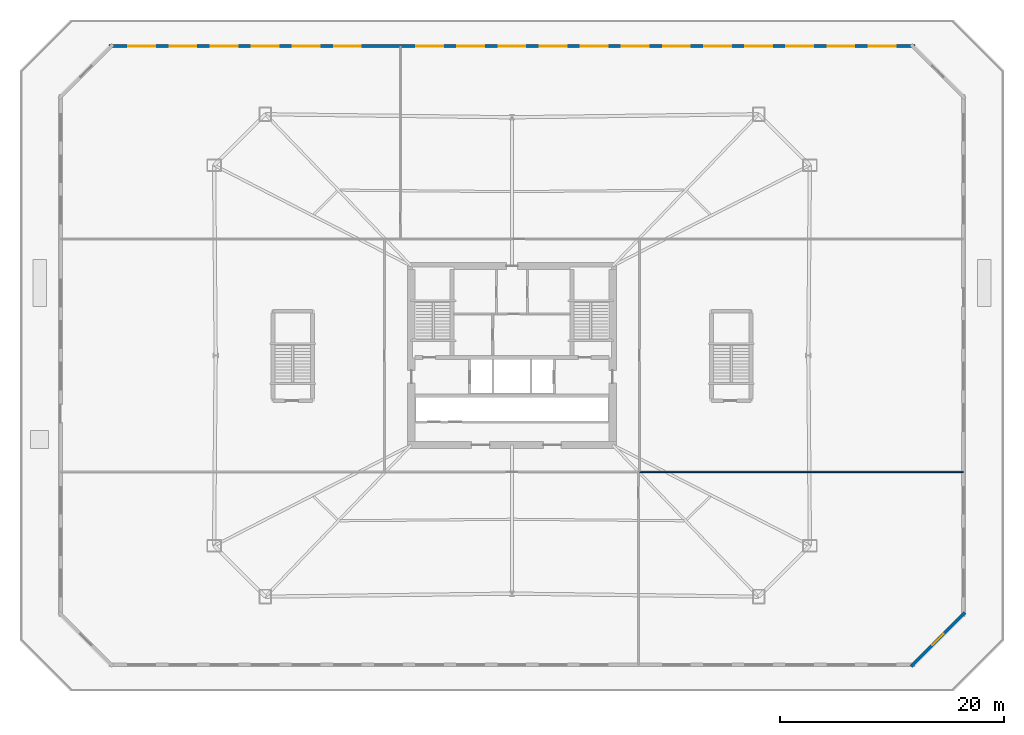
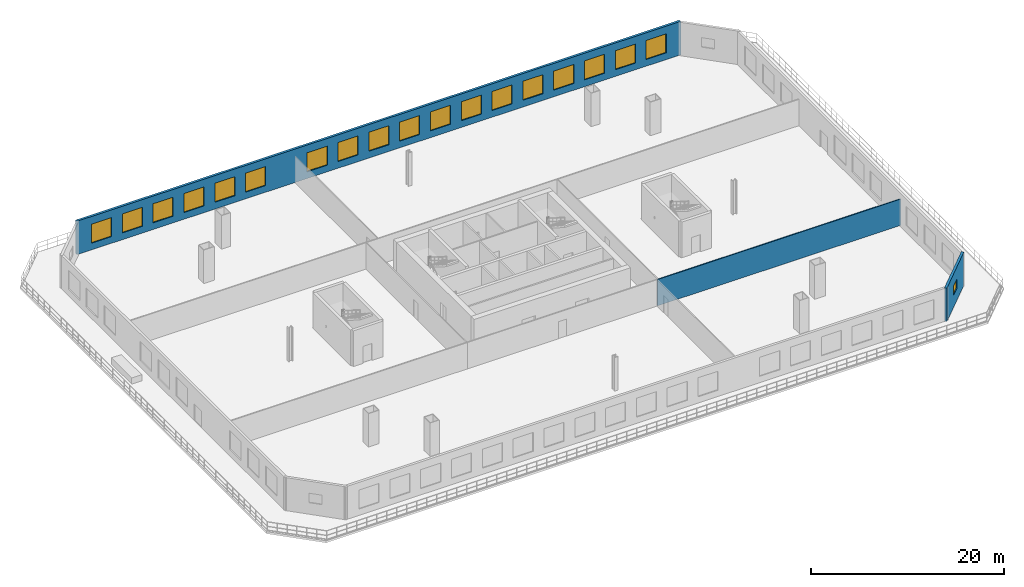
# One storey, part 5 of 9: 19 windows, 3 walls, 19 openings.
"""IFC4 building model written with IfcOpenShell, lengths in metres."""

from ifc_helpers import new_model, si_unit, direction, frame, frame_2d, origin, place, context, subcontext, project, spatial, rectangle, extrude, material, layer, layer_set, type_object, element, fill, save


model = new_model("IFC4")

# Units and contexts
model_context = context("Model", 3, precision=1e-05, world=origin(), true_north=direction((0.0, 1.0)))
body_context = subcontext(model_context, "Body", "Model", "MODEL_VIEW")
ifc_project = project(units=[si_unit("LENGTHUNIT", "METRE"), si_unit("AREAUNIT", "SQUARE_METRE"), si_unit("VOLUMEUNIT", "CUBIC_METRE"), si_unit("PLANEANGLEUNIT", "RADIAN"), si_unit("MASSUNIT", "GRAM", prefix="KILO")], contexts=[model_context])

# Site, building, storey
site_placement = place(None, origin())
site = spatial("IfcSite", under=ifc_project, at=site_placement, CompositionType="ELEMENT")
building_placement = place(site_placement, origin())
building = spatial("IfcBuilding", under=site, at=building_placement, Name="Caelvoria Tower", CompositionType="ELEMENT")
storey_placement = place(building_placement, frame((0.0, 0.0, 5.0)))
storey = spatial("IfcBuildingStorey", under=building, at=storey_placement, Name="L01", CompositionType="ELEMENT", Elevation=5.0)

# Wall, opening, window
ifc_material_1 = material(Name="Precast Concrete C40/50 with Bronze Cladding", Category="concrete")
ifc_layer_1 = layer(ifc_material_1, 0.280029296875, Name="Precast Concrete C40/50 with Bronze Cladding")
ifc_layer_set_1 = layer_set([ifc_layer_1], Name="Exterior Precast Concrete C40/50 Bronze-Clad Facade Wall 280 - Precast Concrete C40/50 with Bronze Cladding")
wall_type_1 = type_object("IfcWallType", Name="Exterior Precast Concrete C40/50 Bronze-Clad Facade Wall 280", PredefinedType="STANDARD", material=ifc_layer_set_1)
wall_1_placement = place(storey_placement, frame((81.701904296875, 4.199951171875, 0.0), z_axis=(0.0, 0.0, 1.0), x_axis=(0.707106781187, 0.707106781187, 0.0)))
wall_1 = element("IfcWall", 1, at=wall_1_placement, inside=storey, type_object=wall_type_1, Name="Exterior Facade Wall L01-E1", PredefinedType="STANDARD", context=body_context, shape_type="SweptSolid", body=[
    extrude(rectangle(XDim=6.78564453125, YDim=0.280029296875, at=frame_2d((3.392822265625, 0.0))), origin(), (0.0, 0.0, 1.0), 4.219970703125),
])
opening_1_placement = place(wall_1_placement, frame((2.692626953125, 0.0, 1.5)))
opening_1 = element("IfcOpeningElement", 2, at=opening_1_placement, cuts=wall_1, Name="Opening WN-06", PredefinedType="OPENING", context=body_context, shape_type="SweptSolid", body=[
    extrude(rectangle(XDim=1.39990234375, YDim=1.199951171875, at=frame_2d((0.699951171875, 0.60009765625))), frame((0.0, 0.14990234375, 0.0), z_axis=(0.0, -1.0, 0.0), x_axis=(1.0, 0.0, 0.0)), (0.0, 0.0, 1.0), 0.300048828125),
])
ifc_material_2 = material(Name="Low-E Tinted Glass in Bronze Aluminium Frame", Category="aluminium")
window_type_1 = type_object("IfcWindowType", Name="Podium Clerestory Window 1400x1200", PartitioningType="SINGLE_PANEL", PredefinedType="WINDOW", material=ifc_material_2)
window_1_placement = place(opening_1_placement, origin())
window_1 = element("IfcWindow", 3, at=window_1_placement, inside=storey, type_object=window_type_1, Name="Facade Window L01-E1-00", OverallHeight=1.199951171875, OverallWidth=1.39990234375, PartitioningType="SINGLE_PANEL", PredefinedType="WINDOW", context=body_context, shape_type="SweptSolid", body=[
    extrude(rectangle(XDim=1.39990234375, YDim=1.199951171875, at=frame_2d((0.699951171875, 0.60009765625))), frame((0.0, 0.030029296875, 0.0), z_axis=(0.0, -1.0, 0.0), x_axis=(1.0, 0.0, 0.0)), (0.0, 0.0, 1.0), 0.06005859375),
])
fill(opening_1, window_1)

# Wall, openings, windows
wall_2_placement = place(storey_placement, frame((82.0400390625, 59.659912109375, 0.0), z_axis=(0.0, 0.0, 1.0), x_axis=(-1.0, 0.0, 0.0)))
wall_2 = element("IfcWall", 4, at=wall_2_placement, inside=storey, type_object=wall_type_1, Name="Exterior Facade Wall L01-E4", PredefinedType="STANDARD", context=body_context, shape_type="SweptSolid", body=[
    extrude(rectangle(XDim=72.080078125, YDim=0.280029296875, at=frame_2d((36.0400390625, 0.0))), origin(), (0.0, 0.0, 1.0), 4.219970703125),
])
opening_2_placement = place(wall_2_placement, frame((1.739013671875, 0.0, 0.85009765625)))
opening_2 = element("IfcOpeningElement", 5, at=opening_2_placement, cuts=wall_2, Name="Opening WN-04", PredefinedType="OPENING", context=body_context, shape_type="SweptSolid", body=[
    extrude(rectangle(XDim=2.39990234375, YDim=2.39990234375, at=frame_2d((1.199951171875, 1.199951171875))), frame((0.0, 0.14990234375, 0.0), z_axis=(0.0, -1.0, 0.0), x_axis=(1.0, 0.0, 0.0)), (0.0, 0.0, 1.0), 0.300048828125),
])
opening_3_placement = place(wall_2_placement, frame((5.416748046875, 0.0, 0.85009765625)))
opening_3 = element("IfcOpeningElement", 6, at=opening_3_placement, cuts=wall_2, Name="Opening WN-04", PredefinedType="OPENING", context=body_context, shape_type="SweptSolid", body=[
    extrude(rectangle(XDim=2.39990234375, YDim=2.39990234375, at=frame_2d((1.199951171875, 1.199951171875))), frame((0.0, 0.14990234375, 0.0), z_axis=(0.0, -1.0, 0.0), x_axis=(1.0, 0.0, 0.0)), (0.0, 0.0, 1.0), 0.300048828125),
])
opening_4_placement = place(wall_2_placement, frame((9.0947265625, 0.0, 0.85009765625)))
opening_4 = element("IfcOpeningElement", 7, at=opening_4_placement, cuts=wall_2, Name="Opening WN-04", PredefinedType="OPENING", context=body_context, shape_type="SweptSolid", body=[
    extrude(rectangle(XDim=2.39990234375, YDim=2.39990234375, at=frame_2d((1.199951171875, 1.199951171875))), frame((0.0, 0.14990234375, 0.0), z_axis=(0.0, -1.0, 0.0), x_axis=(1.0, 0.0, 0.0)), (0.0, 0.0, 1.0), 0.300048828125),
])
opening_5_placement = place(wall_2_placement, frame((12.772705078125, 0.0, 0.85009765625)))
opening_5 = element("IfcOpeningElement", 8, at=opening_5_placement, cuts=wall_2, Name="Opening WN-04", PredefinedType="OPENING", context=body_context, shape_type="SweptSolid", body=[
    extrude(rectangle(XDim=2.39990234375, YDim=2.39990234375, at=frame_2d((1.199951171875, 1.199951171875))), frame((0.0, 0.14990234375, 0.0), z_axis=(0.0, -1.0, 0.0), x_axis=(1.0, 0.0, 0.0)), (0.0, 0.0, 1.0), 0.300048828125),
])
opening_6_placement = place(wall_2_placement, frame((16.450439453125, 0.0, 0.85009765625)))
opening_6 = element("IfcOpeningElement", 9, at=opening_6_placement, cuts=wall_2, Name="Opening WN-04", PredefinedType="OPENING", context=body_context, shape_type="SweptSolid", body=[
    extrude(rectangle(XDim=2.39990234375, YDim=2.39990234375, at=frame_2d((1.199951171875, 1.199951171875))), frame((0.0, 0.14990234375, 0.0), z_axis=(0.0, -1.0, 0.0), x_axis=(1.0, 0.0, 0.0)), (0.0, 0.0, 1.0), 0.300048828125),
])
opening_7_placement = place(wall_2_placement, frame((20.12841796875, 0.0, 0.85009765625)))
opening_7 = element("IfcOpeningElement", 10, at=opening_7_placement, cuts=wall_2, Name="Opening WN-04", PredefinedType="OPENING", context=body_context, shape_type="SweptSolid", body=[
    extrude(rectangle(XDim=2.39990234375, YDim=2.39990234375, at=frame_2d((1.199951171875, 1.199951171875))), frame((0.0, 0.14990234375, 0.0), z_axis=(0.0, -1.0, 0.0), x_axis=(1.0, 0.0, 0.0)), (0.0, 0.0, 1.0), 0.300048828125),
])
opening_8_placement = place(wall_2_placement, frame((23.806396484375, 0.0, 0.85009765625)))
opening_8 = element("IfcOpeningElement", 11, at=opening_8_placement, cuts=wall_2, Name="Opening WN-04", PredefinedType="OPENING", context=body_context, shape_type="SweptSolid", body=[
    extrude(rectangle(XDim=2.39990234375, YDim=2.39990234375, at=frame_2d((1.199951171875, 1.199951171875))), frame((0.0, 0.14990234375, 0.0), z_axis=(0.0, -1.0, 0.0), x_axis=(1.0, 0.0, 0.0)), (0.0, 0.0, 1.0), 0.300048828125),
])
opening_9_placement = place(wall_2_placement, frame((27.484130859375, 0.0, 0.85009765625)))
opening_9 = element("IfcOpeningElement", 12, at=opening_9_placement, cuts=wall_2, Name="Opening WN-04", PredefinedType="OPENING", context=body_context, shape_type="SweptSolid", body=[
    extrude(rectangle(XDim=2.39990234375, YDim=2.39990234375, at=frame_2d((1.199951171875, 1.199951171875))), frame((0.0, 0.14990234375, 0.0), z_axis=(0.0, -1.0, 0.0), x_axis=(1.0, 0.0, 0.0)), (0.0, 0.0, 1.0), 0.300048828125),
])
opening_10_placement = place(wall_2_placement, frame((31.162109375, 0.0, 0.85009765625)))
opening_10 = element("IfcOpeningElement", 13, at=opening_10_placement, cuts=wall_2, Name="Opening WN-04", PredefinedType="OPENING", context=body_context, shape_type="SweptSolid", body=[
    extrude(rectangle(XDim=2.39990234375, YDim=2.39990234375, at=frame_2d((1.199951171875, 1.199951171875))), frame((0.0, 0.14990234375, 0.0), z_axis=(0.0, -1.0, 0.0), x_axis=(1.0, 0.0, 0.0)), (0.0, 0.0, 1.0), 0.300048828125),
])
opening_11_placement = place(wall_2_placement, frame((34.840087890625, 0.0, 0.85009765625)))
opening_11 = element("IfcOpeningElement", 14, at=opening_11_placement, cuts=wall_2, Name="Opening WN-04", PredefinedType="OPENING", context=body_context, shape_type="SweptSolid", body=[
    extrude(rectangle(XDim=2.39990234375, YDim=2.39990234375, at=frame_2d((1.199951171875, 1.199951171875))), frame((0.0, 0.14990234375, 0.0), z_axis=(0.0, -1.0, 0.0), x_axis=(1.0, 0.0, 0.0)), (0.0, 0.0, 1.0), 0.300048828125),
])
opening_12_placement = place(wall_2_placement, frame((38.517822265625, 0.0, 0.85009765625)))
opening_12 = element("IfcOpeningElement", 15, at=opening_12_placement, cuts=wall_2, Name="Opening WN-04", PredefinedType="OPENING", context=body_context, shape_type="SweptSolid", body=[
    extrude(rectangle(XDim=2.39990234375, YDim=2.39990234375, at=frame_2d((1.199951171875, 1.199951171875))), frame((0.0, 0.14990234375, 0.0), z_axis=(0.0, -1.0, 0.0), x_axis=(1.0, 0.0, 0.0)), (0.0, 0.0, 1.0), 0.300048828125),
])
opening_13_placement = place(wall_2_placement, frame((42.19580078125, 0.0, 0.85009765625)))
opening_13 = element("IfcOpeningElement", 16, at=opening_13_placement, cuts=wall_2, Name="Opening WN-04", PredefinedType="OPENING", context=body_context, shape_type="SweptSolid", body=[
    extrude(rectangle(XDim=2.39990234375, YDim=2.39990234375, at=frame_2d((1.199951171875, 1.199951171875))), frame((0.0, 0.14990234375, 0.0), z_axis=(0.0, -1.0, 0.0), x_axis=(1.0, 0.0, 0.0)), (0.0, 0.0, 1.0), 0.300048828125),
])
opening_14_placement = place(wall_2_placement, frame((49.551513671875, 0.0, 0.85009765625)))
opening_14 = element("IfcOpeningElement", 17, at=opening_14_placement, cuts=wall_2, Name="Opening WN-04", PredefinedType="OPENING", context=body_context, shape_type="SweptSolid", body=[
    extrude(rectangle(XDim=2.39990234375, YDim=2.39990234375, at=frame_2d((1.199951171875, 1.199951171875))), frame((0.0, 0.14990234375, 0.0), z_axis=(0.0, -1.0, 0.0), x_axis=(1.0, 0.0, 0.0)), (0.0, 0.0, 1.0), 0.300048828125),
])
opening_15_placement = place(wall_2_placement, frame((53.2294921875, 0.0, 0.85009765625)))
opening_15 = element("IfcOpeningElement", 18, at=opening_15_placement, cuts=wall_2, Name="Opening WN-04", PredefinedType="OPENING", context=body_context, shape_type="SweptSolid", body=[
    extrude(rectangle(XDim=2.39990234375, YDim=2.39990234375, at=frame_2d((1.199951171875, 1.199951171875))), frame((0.0, 0.14990234375, 0.0), z_axis=(0.0, -1.0, 0.0), x_axis=(1.0, 0.0, 0.0)), (0.0, 0.0, 1.0), 0.300048828125),
])
opening_16_placement = place(wall_2_placement, frame((56.907470703125, 0.0, 0.85009765625)))
opening_16 = element("IfcOpeningElement", 19, at=opening_16_placement, cuts=wall_2, Name="Opening WN-04", PredefinedType="OPENING", context=body_context, shape_type="SweptSolid", body=[
    extrude(rectangle(XDim=2.39990234375, YDim=2.39990234375, at=frame_2d((1.199951171875, 1.199951171875))), frame((0.0, 0.14990234375, 0.0), z_axis=(0.0, -1.0, 0.0), x_axis=(1.0, 0.0, 0.0)), (0.0, 0.0, 1.0), 0.300048828125),
])
opening_17_placement = place(wall_2_placement, frame((60.585205078125, 0.0, 0.85009765625)))
opening_17 = element("IfcOpeningElement", 20, at=opening_17_placement, cuts=wall_2, Name="Opening WN-04", PredefinedType="OPENING", context=body_context, shape_type="SweptSolid", body=[
    extrude(rectangle(XDim=2.39990234375, YDim=2.39990234375, at=frame_2d((1.199951171875, 1.199951171875))), frame((0.0, 0.14990234375, 0.0), z_axis=(0.0, -1.0, 0.0), x_axis=(1.0, 0.0, 0.0)), (0.0, 0.0, 1.0), 0.300048828125),
])
opening_18_placement = place(wall_2_placement, frame((64.26318359375, 0.0, 0.85009765625)))
opening_18 = element("IfcOpeningElement", 21, at=opening_18_placement, cuts=wall_2, Name="Opening WN-04", PredefinedType="OPENING", context=body_context, shape_type="SweptSolid", body=[
    extrude(rectangle(XDim=2.39990234375, YDim=2.39990234375, at=frame_2d((1.199951171875, 1.199951171875))), frame((0.0, 0.14990234375, 0.0), z_axis=(0.0, -1.0, 0.0), x_axis=(1.0, 0.0, 0.0)), (0.0, 0.0, 1.0), 0.300048828125),
])
opening_19_placement = place(wall_2_placement, frame((67.941162109375, 0.0, 0.85009765625)))
opening_19 = element("IfcOpeningElement", 22, at=opening_19_placement, cuts=wall_2, Name="Opening WN-04", PredefinedType="OPENING", context=body_context, shape_type="SweptSolid", body=[
    extrude(rectangle(XDim=2.39990234375, YDim=2.39990234375, at=frame_2d((1.199951171875, 1.199951171875))), frame((0.0, 0.14990234375, 0.0), z_axis=(0.0, -1.0, 0.0), x_axis=(1.0, 0.0, 0.0)), (0.0, 0.0, 1.0), 0.300048828125),
])
window_type_2 = type_object("IfcWindowType", Name="Podium Commercial Ribbon Window 2400x2400", PartitioningType="SINGLE_PANEL", PredefinedType="WINDOW", material=ifc_material_2)
window_2_placement = place(opening_2_placement, origin())
window_2 = element("IfcWindow", 23, at=window_2_placement, inside=storey, type_object=window_type_2, Name="Facade Window L01-E4-00", OverallHeight=2.39990234375, OverallWidth=2.39990234375, PartitioningType="SINGLE_PANEL", PredefinedType="WINDOW", context=body_context, shape_type="SweptSolid", body=[
    extrude(rectangle(XDim=2.39990234375, YDim=2.39990234375, at=frame_2d((1.199951171875, 1.199951171875))), frame((0.0, 0.030029296875, 0.0), z_axis=(0.0, -1.0, 0.0), x_axis=(1.0, 0.0, 0.0)), (0.0, 0.0, 1.0), 0.06005859375),
])
fill(opening_2, window_2)
window_3_placement = place(opening_3_placement, origin())
window_3 = element("IfcWindow", 24, at=window_3_placement, inside=storey, type_object=window_type_2, Name="Facade Window L01-E4-01", OverallHeight=2.39990234375, OverallWidth=2.39990234375, PartitioningType="SINGLE_PANEL", PredefinedType="WINDOW", context=body_context, shape_type="SweptSolid", body=[
    extrude(rectangle(XDim=2.39990234375, YDim=2.39990234375, at=frame_2d((1.199951171875, 1.199951171875))), frame((0.0, 0.030029296875, 0.0), z_axis=(0.0, -1.0, 0.0), x_axis=(1.0, 0.0, 0.0)), (0.0, 0.0, 1.0), 0.06005859375),
])
fill(opening_3, window_3)
window_4_placement = place(opening_4_placement, origin())
window_4 = element("IfcWindow", 25, at=window_4_placement, inside=storey, type_object=window_type_2, Name="Facade Window L01-E4-02", OverallHeight=2.39990234375, OverallWidth=2.39990234375, PartitioningType="SINGLE_PANEL", PredefinedType="WINDOW", context=body_context, shape_type="SweptSolid", body=[
    extrude(rectangle(XDim=2.39990234375, YDim=2.39990234375, at=frame_2d((1.199951171875, 1.199951171875))), frame((0.0, 0.030029296875, 0.0), z_axis=(0.0, -1.0, 0.0), x_axis=(1.0, 0.0, 0.0)), (0.0, 0.0, 1.0), 0.06005859375),
])
fill(opening_4, window_4)
window_5_placement = place(opening_5_placement, origin())
window_5 = element("IfcWindow", 26, at=window_5_placement, inside=storey, type_object=window_type_2, Name="Facade Window L01-E4-03", OverallHeight=2.39990234375, OverallWidth=2.39990234375, PartitioningType="SINGLE_PANEL", PredefinedType="WINDOW", context=body_context, shape_type="SweptSolid", body=[
    extrude(rectangle(XDim=2.39990234375, YDim=2.39990234375, at=frame_2d((1.199951171875, 1.199951171875))), frame((0.0, 0.030029296875, 0.0), z_axis=(0.0, -1.0, 0.0), x_axis=(1.0, 0.0, 0.0)), (0.0, 0.0, 1.0), 0.06005859375),
])
fill(opening_5, window_5)
window_6_placement = place(opening_6_placement, origin())
window_6 = element("IfcWindow", 27, at=window_6_placement, inside=storey, type_object=window_type_2, Name="Facade Window L01-E4-04", OverallHeight=2.39990234375, OverallWidth=2.39990234375, PartitioningType="SINGLE_PANEL", PredefinedType="WINDOW", context=body_context, shape_type="SweptSolid", body=[
    extrude(rectangle(XDim=2.39990234375, YDim=2.39990234375, at=frame_2d((1.199951171875, 1.199951171875))), frame((0.0, 0.030029296875, 0.0), z_axis=(0.0, -1.0, 0.0), x_axis=(1.0, 0.0, 0.0)), (0.0, 0.0, 1.0), 0.06005859375),
])
fill(opening_6, window_6)
window_7_placement = place(opening_7_placement, origin())
window_7 = element("IfcWindow", 28, at=window_7_placement, inside=storey, type_object=window_type_2, Name="Facade Window L01-E4-05", OverallHeight=2.39990234375, OverallWidth=2.39990234375, PartitioningType="SINGLE_PANEL", PredefinedType="WINDOW", context=body_context, shape_type="SweptSolid", body=[
    extrude(rectangle(XDim=2.39990234375, YDim=2.39990234375, at=frame_2d((1.199951171875, 1.199951171875))), frame((0.0, 0.030029296875, 0.0), z_axis=(0.0, -1.0, 0.0), x_axis=(1.0, 0.0, 0.0)), (0.0, 0.0, 1.0), 0.06005859375),
])
fill(opening_7, window_7)
window_8_placement = place(opening_8_placement, origin())
window_8 = element("IfcWindow", 29, at=window_8_placement, inside=storey, type_object=window_type_2, Name="Facade Window L01-E4-06", OverallHeight=2.39990234375, OverallWidth=2.39990234375, PartitioningType="SINGLE_PANEL", PredefinedType="WINDOW", context=body_context, shape_type="SweptSolid", body=[
    extrude(rectangle(XDim=2.39990234375, YDim=2.39990234375, at=frame_2d((1.199951171875, 1.199951171875))), frame((0.0, 0.030029296875, 0.0), z_axis=(0.0, -1.0, 0.0), x_axis=(1.0, 0.0, 0.0)), (0.0, 0.0, 1.0), 0.06005859375),
])
fill(opening_8, window_8)
window_9_placement = place(opening_9_placement, origin())
window_9 = element("IfcWindow", 30, at=window_9_placement, inside=storey, type_object=window_type_2, Name="Facade Window L01-E4-07", OverallHeight=2.39990234375, OverallWidth=2.39990234375, PartitioningType="SINGLE_PANEL", PredefinedType="WINDOW", context=body_context, shape_type="SweptSolid", body=[
    extrude(rectangle(XDim=2.39990234375, YDim=2.39990234375, at=frame_2d((1.199951171875, 1.199951171875))), frame((0.0, 0.030029296875, 0.0), z_axis=(0.0, -1.0, 0.0), x_axis=(1.0, 0.0, 0.0)), (0.0, 0.0, 1.0), 0.06005859375),
])
fill(opening_9, window_9)
window_10_placement = place(opening_10_placement, origin())
window_10 = element("IfcWindow", 31, at=window_10_placement, inside=storey, type_object=window_type_2, Name="Facade Window L01-E4-08", OverallHeight=2.39990234375, OverallWidth=2.39990234375, PartitioningType="SINGLE_PANEL", PredefinedType="WINDOW", context=body_context, shape_type="SweptSolid", body=[
    extrude(rectangle(XDim=2.39990234375, YDim=2.39990234375, at=frame_2d((1.199951171875, 1.199951171875))), frame((0.0, 0.030029296875, 0.0), z_axis=(0.0, -1.0, 0.0), x_axis=(1.0, 0.0, 0.0)), (0.0, 0.0, 1.0), 0.06005859375),
])
fill(opening_10, window_10)
window_11_placement = place(opening_11_placement, origin())
window_11 = element("IfcWindow", 32, at=window_11_placement, inside=storey, type_object=window_type_2, Name="Facade Window L01-E4-09", OverallHeight=2.39990234375, OverallWidth=2.39990234375, PartitioningType="SINGLE_PANEL", PredefinedType="WINDOW", context=body_context, shape_type="SweptSolid", body=[
    extrude(rectangle(XDim=2.39990234375, YDim=2.39990234375, at=frame_2d((1.199951171875, 1.199951171875))), frame((0.0, 0.030029296875, 0.0), z_axis=(0.0, -1.0, 0.0), x_axis=(1.0, 0.0, 0.0)), (0.0, 0.0, 1.0), 0.06005859375),
])
fill(opening_11, window_11)
window_12_placement = place(opening_12_placement, origin())
window_12 = element("IfcWindow", 33, at=window_12_placement, inside=storey, type_object=window_type_2, Name="Facade Window L01-E4-10", OverallHeight=2.39990234375, OverallWidth=2.39990234375, PartitioningType="SINGLE_PANEL", PredefinedType="WINDOW", context=body_context, shape_type="SweptSolid", body=[
    extrude(rectangle(XDim=2.39990234375, YDim=2.39990234375, at=frame_2d((1.199951171875, 1.199951171875))), frame((0.0, 0.030029296875, 0.0), z_axis=(0.0, -1.0, 0.0), x_axis=(1.0, 0.0, 0.0)), (0.0, 0.0, 1.0), 0.06005859375),
])
fill(opening_12, window_12)
window_13_placement = place(opening_13_placement, origin())
window_13 = element("IfcWindow", 34, at=window_13_placement, inside=storey, type_object=window_type_2, Name="Facade Window L01-E4-11", OverallHeight=2.39990234375, OverallWidth=2.39990234375, PartitioningType="SINGLE_PANEL", PredefinedType="WINDOW", context=body_context, shape_type="SweptSolid", body=[
    extrude(rectangle(XDim=2.39990234375, YDim=2.39990234375, at=frame_2d((1.199951171875, 1.199951171875))), frame((0.0, 0.030029296875, 0.0), z_axis=(0.0, -1.0, 0.0), x_axis=(1.0, 0.0, 0.0)), (0.0, 0.0, 1.0), 0.06005859375),
])
fill(opening_13, window_13)
window_14_placement = place(opening_14_placement, origin())
window_14 = element("IfcWindow", 35, at=window_14_placement, inside=storey, type_object=window_type_2, Name="Facade Window L01-E4-13", OverallHeight=2.39990234375, OverallWidth=2.39990234375, PartitioningType="SINGLE_PANEL", PredefinedType="WINDOW", context=body_context, shape_type="SweptSolid", body=[
    extrude(rectangle(XDim=2.39990234375, YDim=2.39990234375, at=frame_2d((1.199951171875, 1.199951171875))), frame((0.0, 0.030029296875, 0.0), z_axis=(0.0, -1.0, 0.0), x_axis=(1.0, 0.0, 0.0)), (0.0, 0.0, 1.0), 0.06005859375),
])
fill(opening_14, window_14)
window_15_placement = place(opening_15_placement, origin())
window_15 = element("IfcWindow", 36, at=window_15_placement, inside=storey, type_object=window_type_2, Name="Facade Window L01-E4-14", OverallHeight=2.39990234375, OverallWidth=2.39990234375, PartitioningType="SINGLE_PANEL", PredefinedType="WINDOW", context=body_context, shape_type="SweptSolid", body=[
    extrude(rectangle(XDim=2.39990234375, YDim=2.39990234375, at=frame_2d((1.199951171875, 1.199951171875))), frame((0.0, 0.030029296875, 0.0), z_axis=(0.0, -1.0, 0.0), x_axis=(1.0, 0.0, 0.0)), (0.0, 0.0, 1.0), 0.06005859375),
])
fill(opening_15, window_15)
window_16_placement = place(opening_16_placement, origin())
window_16 = element("IfcWindow", 37, at=window_16_placement, inside=storey, type_object=window_type_2, Name="Facade Window L01-E4-15", OverallHeight=2.39990234375, OverallWidth=2.39990234375, PartitioningType="SINGLE_PANEL", PredefinedType="WINDOW", context=body_context, shape_type="SweptSolid", body=[
    extrude(rectangle(XDim=2.39990234375, YDim=2.39990234375, at=frame_2d((1.199951171875, 1.199951171875))), frame((0.0, 0.030029296875, 0.0), z_axis=(0.0, -1.0, 0.0), x_axis=(1.0, 0.0, 0.0)), (0.0, 0.0, 1.0), 0.06005859375),
])
fill(opening_16, window_16)
window_17_placement = place(opening_17_placement, origin())
window_17 = element("IfcWindow", 38, at=window_17_placement, inside=storey, type_object=window_type_2, Name="Facade Window L01-E4-16", OverallHeight=2.39990234375, OverallWidth=2.39990234375, PartitioningType="SINGLE_PANEL", PredefinedType="WINDOW", context=body_context, shape_type="SweptSolid", body=[
    extrude(rectangle(XDim=2.39990234375, YDim=2.39990234375, at=frame_2d((1.199951171875, 1.199951171875))), frame((0.0, 0.030029296875, 0.0), z_axis=(0.0, -1.0, 0.0), x_axis=(1.0, 0.0, 0.0)), (0.0, 0.0, 1.0), 0.06005859375),
])
fill(opening_17, window_17)
window_18_placement = place(opening_18_placement, origin())
window_18 = element("IfcWindow", 39, at=window_18_placement, inside=storey, type_object=window_type_2, Name="Facade Window L01-E4-17", OverallHeight=2.39990234375, OverallWidth=2.39990234375, PartitioningType="SINGLE_PANEL", PredefinedType="WINDOW", context=body_context, shape_type="SweptSolid", body=[
    extrude(rectangle(XDim=2.39990234375, YDim=2.39990234375, at=frame_2d((1.199951171875, 1.199951171875))), frame((0.0, 0.030029296875, 0.0), z_axis=(0.0, -1.0, 0.0), x_axis=(1.0, 0.0, 0.0)), (0.0, 0.0, 1.0), 0.06005859375),
])
fill(opening_18, window_18)
window_19_placement = place(opening_19_placement, origin())
window_19 = element("IfcWindow", 40, at=window_19_placement, inside=storey, type_object=window_type_2, Name="Facade Window L01-E4-18", OverallHeight=2.39990234375, OverallWidth=2.39990234375, PartitioningType="SINGLE_PANEL", PredefinedType="WINDOW", context=body_context, shape_type="SweptSolid", body=[
    extrude(rectangle(XDim=2.39990234375, YDim=2.39990234375, at=frame_2d((1.199951171875, 1.199951171875))), frame((0.0, 0.030029296875, 0.0), z_axis=(0.0, -1.0, 0.0), x_axis=(1.0, 0.0, 0.0)), (0.0, 0.0, 1.0), 0.06005859375),
])
fill(opening_19, window_19)

# Wall
ifc_material_3 = material(Name="Acoustic Gypsum Board on Light-Gauge Stud", Category="gypsum")
ifc_layer_2 = layer(ifc_material_3, 0.1201171875, Name="Acoustic Gypsum Board on Light-Gauge Stud")
ifc_layer_set_2 = layer_set([ifc_layer_2], Name="Tenant Suite Acoustic Partition Wall 120 - Acoustic Gypsum Board on Light-Gauge Stud")
wall_type_2 = type_object("IfcWallType", Name="Tenant Suite Acoustic Partition Wall 120", PredefinedType="PARTITIONING", material=ifc_layer_set_2)
wall_3_placement = place(storey_placement, frame((57.35009765625, 21.590087890625, 0.0), z_axis=(0.0, 0.0, 1.0), x_axis=(1.0, 0.0, 0.0)))
element("IfcWall", 41, at=wall_3_placement, inside=storey, type_object=wall_type_2, Name="Interior Partition IW-L01-BSE-0", PredefinedType="PARTITIONING", context=body_context, shape_type="SweptSolid", body=[
    extrude(rectangle(XDim=29.010009765625, YDim=0.1201171875, at=frame_2d((14.5048828125, 0.0))), origin(), (0.0, 0.0, 1.0), 3.320068359375),
])

save(model, "model.ifc")
